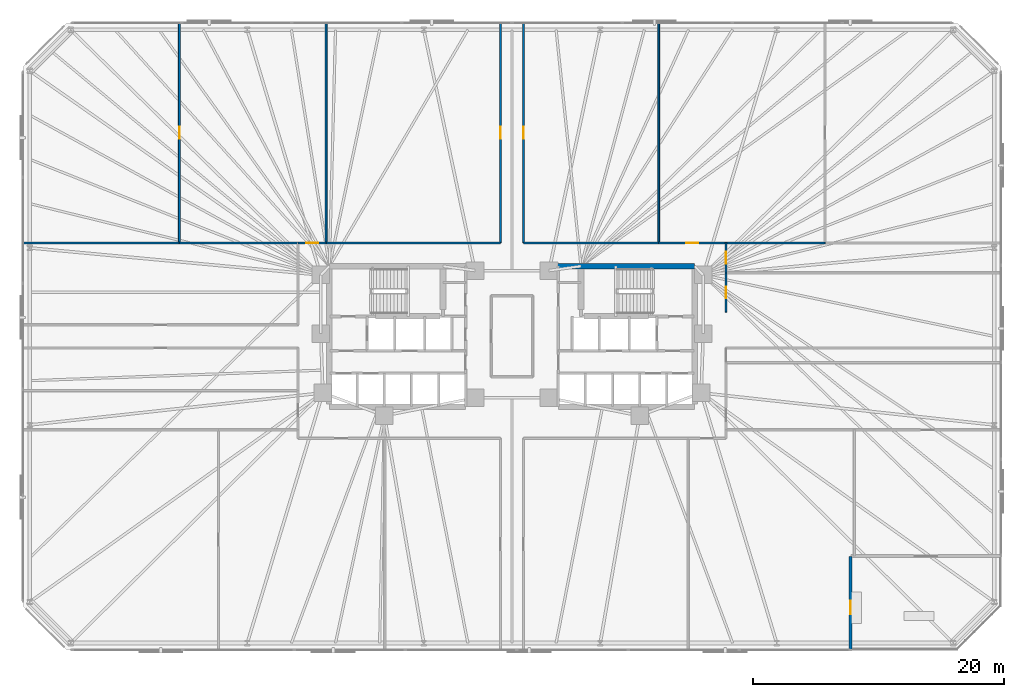
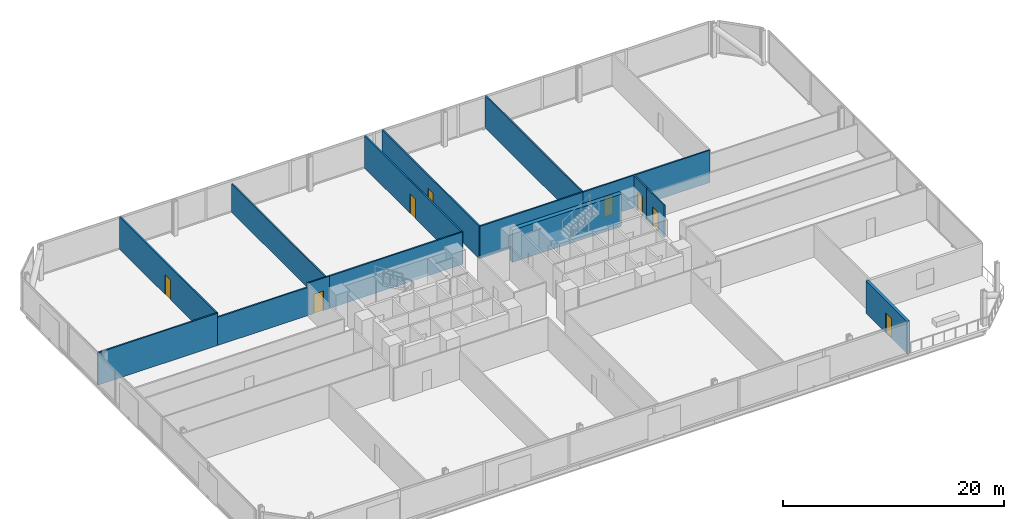
# One storey, part 14 of 17: 16 walls, 8 doors, 8 openings.
"""IFC4 building model written with IfcOpenShell, lengths in metres."""

import ifcopenshell
import ifcopenshell.guid

model = None  # the IFC model being written
_history = None  # IfcOwnerHistory: only IFC2X3 demands one
_inside = {}  # id of a spatial element -> (the spatial element, [elements in it])
_under = {}  # id of a project, library or spatial element -> (it, [spatial elements below it])
_declared = {}  # id of a project -> (the project, [libraries it declares])
_typed = {}  # id of a type object -> (the type object, [elements of that type])
_made_of = {}  # id of a material, layer set ... -> (it, [elements and type objects made of it])


def new_model(schema):
    """Start an empty IFC model of exactly this schema.

    Asked for "IFC4X3", IfcOpenShell would pick the latest addendum, in which some entities
    have other attributes; the version numbers below select the first issue.
    IFC2X3 requires an IfcOwnerHistory on every rooted entity: one is made here for all.
    """
    global model, _history
    if schema == "IFC4X3":
        model = ifcopenshell.file(schema_version=(4, 3, 0, 0))
    else:
        model = ifcopenshell.file(schema=schema)
    _inside.clear()
    _under.clear()
    _declared.clear()
    _typed.clear()
    _made_of.clear()
    _history = None
    if model.schema == "IFC2X3":
        org = make("IfcOrganization", Name="unknown")
        user = make(
            "IfcPersonAndOrganization",
            ThePerson=make("IfcPerson", FamilyName="unknown"),
            TheOrganization=org,
        )
        app = make(
            "IfcApplication",
            ApplicationDeveloper=org,
            Version="unknown",
            ApplicationFullName="unknown",
            ApplicationIdentifier="unknown",
        )
        _history = make(
            "IfcOwnerHistory",
            OwningUser=user,
            OwningApplication=app,
            ChangeAction="ADDED",
            CreationDate=0,
        )
    return model


def make(cls, **values):
    """One entity of the class cls with the attributes given. An attribute that is None is left unset."""
    return model.create_entity(
        cls, **{name: value for name, value in values.items() if value is not None}
    )


def rooted(cls, **values):
    """An entity with a GlobalId (a new one), such as an element, a storey or a relation."""
    return make(cls, GlobalId=ifcopenshell.guid.new(), OwnerHistory=_history, **values)


def si_unit(unit_type, name, prefix=None):
    """IfcSIUnit, for example si_unit("LENGTHUNIT", "METRE", prefix="MILLI")."""
    return make("IfcSIUnit", UnitType=unit_type, Prefix=prefix, Name=name)


def assignment(units):
    """IfcUnitAssignment: the units of a project."""
    return None if units is None else make("IfcUnitAssignment", Units=units)


def point(xyz):
    """IfcCartesianPoint."""
    return None if xyz is None else make("IfcCartesianPoint", Coordinates=xyz)


def direction(xyz):
    """IfcDirection."""
    return None if xyz is None else make("IfcDirection", DirectionRatios=xyz)


def frame(location, z_axis=None, x_axis=None):
    """IfcAxis2Placement3D, a coordinate frame: its origin and axes. An axis left out is left unset."""
    return make(
        "IfcAxis2Placement3D",
        Location=point(location),
        Axis=direction(z_axis),
        RefDirection=direction(x_axis),
    )


def frame_2d(location, x_axis=None):
    """IfcAxis2Placement2D, a coordinate frame in the plane: its origin and x axis."""
    return make(
        "IfcAxis2Placement2D", Location=point(location), RefDirection=direction(x_axis)
    )


def origin():
    """The frame at (0, 0, 0) with its axes left unset."""
    return frame((0.0, 0.0, 0.0))


def place(relative_to, where):
    """IfcLocalPlacement: puts the frame where relative to a parent placement (None: the world)."""
    return make(
        "IfcLocalPlacement", PlacementRelTo=relative_to, RelativePlacement=where
    )


def context(
    kind, dimensions, precision=None, world=None, true_north=None, identifier=None
):
    """IfcGeometricRepresentationContext, for example the 3D "Model" context."""
    return make(
        "IfcGeometricRepresentationContext",
        ContextIdentifier=identifier,
        ContextType=kind,
        CoordinateSpaceDimension=dimensions,
        Precision=precision,
        WorldCoordinateSystem=world,
        TrueNorth=true_north,
    )


def subcontext(parent, identifier, kind, view, scale=None):
    """IfcGeometricRepresentationSubContext, for example "Body" below "Model"."""
    return make(
        "IfcGeometricRepresentationSubContext",
        ContextIdentifier=identifier,
        ContextType=kind,
        ParentContext=parent,
        TargetScale=scale,
        TargetView=view,
    )


def project(units=None, contexts=None):
    """IfcProject with its units and contexts."""
    return rooted(
        "IfcProject",
        Name="project",
        RepresentationContexts=contexts,
        UnitsInContext=assignment(units),
    )


def spatial(cls, under=None, at=None, **own):
    """A site, building, storey or space (cls), placed at a placement, below another one or the project."""
    s = rooted(cls, ObjectPlacement=at, **own)
    if under is not None:
        _under.setdefault(under.id(), (under, []))[1].append(s)
    return s


def profile(cls, at=None, kind="AREA", **sizes):
    """A parametric profile (cls). Its sizes go by their IFC names, for example OverallWidth=200.0."""
    return make(cls, ProfileType=kind, Position=at, **sizes)


def rectangle(**sizes):
    """IfcRectangleProfileDef."""
    return profile("IfcRectangleProfileDef", **sizes)


def extrude(swept, where, along, depth):
    """IfcExtrudedAreaSolid: the profile swept, set in the frame where, extruded along a direction by depth."""
    return make(
        "IfcExtrudedAreaSolid",
        SweptArea=swept,
        Position=where,
        ExtrudedDirection=direction(along),
        Depth=depth,
    )


def shape(context_of_items, identifier, shape_type, items):
    """IfcShapeRepresentation: the items that make up one representation, for example the "Body"."""
    return make(
        "IfcShapeRepresentation",
        ContextOfItems=context_of_items,
        RepresentationIdentifier=identifier,
        RepresentationType=shape_type,
        Items=items,
    )


def material(Name=None, Category=None):
    """IfcMaterial."""
    return make("IfcMaterial", Name=Name, Category=Category)


def layer(
    of_material, thickness, ventilated=None, Name=None, Category=None, Priority=None
):
    """IfcMaterialLayer: one layer of a wall or slab, of a material (None: an air gap)."""
    return make(
        "IfcMaterialLayer",
        Material=of_material,
        LayerThickness=thickness,
        IsVentilated=ventilated,
        Name=Name,
        Category=Category,
        Priority=Priority,
    )


def layer_set(layers, Name=None):
    """IfcMaterialLayerSet."""
    return make("IfcMaterialLayerSet", MaterialLayers=layers, LayerSetName=Name)


def made_of(thing, what):
    """Note that an element or type object is made of a material, layer set ...; save() writes the relation."""
    if what is not None:
        _made_of.setdefault(what.id(), (what, []))[1].append(thing)
    return thing


def type_object(cls, material=None, **own):
    """A type object (cls), such as IfcWallType, which elements share."""
    return made_of(rooted(cls, **own), material)


def element(
    cls,
    number,
    at=None,
    inside=None,
    cuts=None,
    type_object=None,
    material=None,
    context=None,
    identifier="Body",
    shape_type=None,
    held_by="IfcProductDefinitionShape",
    body=None,
    shapes=None,
    **own,
):
    """One element of the class cls, such as IfcWall. Its Tag is "e" and its number.

    at: its placement. inside: the storey or other place that contains it. cuts: it is an
    opening in that element (IfcRelVoidsElement). A single representation is given by context,
    identifier, shape_type and body (its items); several are given by shapes. held_by: the class
    of the entity that holds the representations. save() writes the other relations.
    """
    e = rooted(cls, Tag="e%d" % number, ObjectPlacement=at, **own)
    if body is not None:
        shapes = [shape(context, identifier, shape_type, body)]
    if shapes is not None:
        e.Representation = make(held_by, Representations=shapes)
    if inside is not None:
        _inside.setdefault(inside.id(), (inside, []))[1].append(e)
    if cuts is not None:
        rooted(
            "IfcRelVoidsElement", RelatingBuildingElement=cuts, RelatedOpeningElement=e
        )
    if type_object is not None:
        _typed.setdefault(type_object.id(), (type_object, []))[1].append(e)
    return made_of(e, material)


def fill(opening, filler):
    """IfcRelFillsElement: the door or window that sits in an opening."""
    return rooted(
        "IfcRelFillsElement",
        RelatingOpeningElement=opening,
        RelatedBuildingElement=filler,
    )


def aggregate(whole, parts):
    """IfcRelAggregates: a whole, such as a stair, and the parts it consists of."""
    return rooted("IfcRelAggregates", RelatingObject=whole, RelatedObjects=parts)


def save(model, path):
    """Write the relations noted so far, then the file.

    IfcRelAggregates (storeys below a building ...), IfcRelContainedInSpatialStructure (elements
    in a storey), IfcRelDefinesByType, IfcRelAssociatesMaterial and IfcRelDeclares: one each for
    every whole, place, type object, material and project.
    """
    for whole, parts in _under.values():
        aggregate(whole, parts)
    for where, things in _inside.values():
        rooted(
            "IfcRelContainedInSpatialStructure",
            RelatedElements=things,
            RelatingStructure=where,
        )
    for kind, things in _typed.values():
        rooted("IfcRelDefinesByType", RelatedObjects=things, RelatingType=kind)
    for what, things in _made_of.values():
        rooted("IfcRelAssociatesMaterial", RelatedObjects=things, RelatingMaterial=what)
    for by, libraries in _declared.values():
        rooted("IfcRelDeclares", RelatingContext=by, RelatedDefinitions=libraries)
    model.write(path)


model = new_model("IFC4")

# Units and contexts
model_context = context("Model", 3, precision=1e-05, world=origin(), true_north=direction((0.0, 1.0)))
body_context = subcontext(model_context, "Body", "Model", "MODEL_VIEW")
ifc_project = project(units=[si_unit("LENGTHUNIT", "METRE"), si_unit("AREAUNIT", "SQUARE_METRE"), si_unit("VOLUMEUNIT", "CUBIC_METRE"), si_unit("PLANEANGLEUNIT", "RADIAN"), si_unit("MASSUNIT", "GRAM", prefix="KILO")], contexts=[model_context])

# Site, building, storey
site_placement = place(None, origin())
site = spatial("IfcSite", under=ifc_project, at=site_placement, CompositionType="ELEMENT")
building_placement = place(site_placement, origin())
building = spatial("IfcBuilding", under=site, at=building_placement, Name="Menara Jurai Vektor", CompositionType="ELEMENT")
storey_placement = place(building_placement, frame((0.0, 0.0, 44.60009765625)))
storey = spatial("IfcBuildingStorey", under=building, at=storey_placement, Name="L10", CompositionType="ELEMENT", Elevation=44.60009765625)

# Wall, opening, door
ifc_material_1 = material(Name="Insulated Pale Aluminium Terrace Wall", Category="aluminium")
ifc_layer_1 = layer(ifc_material_1, 0.260009765625)
ifc_layer_set_1 = layer_set([ifc_layer_1], Name="Insulated Pale Aluminium Terrace Wall")
wall_type_1 = type_object("IfcWallType", Name="ENV-WALL-EXT260", PredefinedType="STANDARD", material=ifc_layer_set_1)
wall_1_placement = place(storey_placement, frame((27.0, -24.969970703125, 0.0), z_axis=(0.0, 0.0, 1.0), x_axis=(0.0, 1.0, 0.0)))
wall_1 = element("IfcWall", 1, at=wall_1_placement, inside=storey, type_object=wall_type_1, Name="Recessed Sky Terrace Wall L10-01", PredefinedType="STANDARD", context=body_context, shape_type="SweptSolid", body=[
    extrude(rectangle(XDim=7.43994140625, YDim=0.260009765625, at=frame_2d((3.719970703125, 0.0))), origin(), (0.0, 0.0, 1.0), 3.574951171875),
])
opening_1_placement = place(wall_1_placement, frame((2.798095703125, 0.0, 0.0)))
opening_1 = element("IfcOpeningElement", 2, at=opening_1_placement, cuts=wall_1, Name="Opening TD-L10", PredefinedType="OPENING", context=body_context, shape_type="SweptSolid", body=[
    extrude(rectangle(XDim=1.10009765625, YDim=2.199951171875, at=frame_2d((0.550048828125, 1.10009765625))), frame((0.0, 0.14013671875, 0.0), z_axis=(0.0, -1.0, 0.0), x_axis=(1.0, 0.0, 0.0)), (0.0, 0.0, 1.0), 0.280029296875),
])
ifc_material_2 = material(Name="Anodised Aluminium Glazed Terrace Door", Category="aluminium")
door_type_1 = type_object("IfcDoorType", Name="ENV-DOOR-TER110", OperationType="NOTDEFINED", PredefinedType="DOOR", material=ifc_material_2)
door_1_placement = place(opening_1_placement, frame((1.10009765625, 0.0, 0.0), z_axis=(0.0, 0.0, 1.0), x_axis=(-1.0, 0.0, 0.0)))
door_1 = element("IfcDoor", 3, at=door_1_placement, inside=storey, type_object=door_type_1, Name="Spiral Corner Terrace Access Door L10", OperationType="SINGLE_SWING_RIGHT", OverallHeight=2.199951171875, OverallWidth=1.10009765625, PredefinedType="DOOR", context=body_context, shape_type="SweptSolid", body=[
    extrude(rectangle(XDim=1.10009765625, YDim=2.199951171875, at=frame_2d((0.550048828125, 1.10009765625))), frame((0.0, 0.02490234375, 0.0), z_axis=(0.0, -1.0, 0.0), x_axis=(1.0, 0.0, 0.0)), (0.0, 0.0, 1.0), 0.050048828125),
])
fill(opening_1, door_1)

ifc_material_3 = material(Name="Gypsum Fireboard Partition", Category="gypsum")
ifc_layer_2 = layer(ifc_material_3, 0.14990234375)
ifc_layer_set_2 = layer_set([ifc_layer_2], Name="Gypsum Fireboard Partition")
wall_type_2 = type_object("IfcWallType", Name="INT-WALL-CORR-150", PredefinedType="PARTITIONING", material=ifc_layer_set_2)
wall_2_placement = place(storey_placement, frame((-17.05908203125, 7.449951171875, 0.0), z_axis=(0.0, 0.0, 1.0), x_axis=(1.0, 0.0, 0.0)))
wall_2 = element("IfcWall", 4, at=wall_2_placement, inside=storey, type_object=wall_type_2, Name="Interior Wall IW-150 L10", PredefinedType="PARTITIONING", context=body_context, shape_type="SweptSolid", body=[
    extrude(rectangle(XDim=2.239013671875, YDim=0.14990234375, at=frame_2d((1.11962890625, 0.0))), origin(), (0.0, 0.0, 1.0), 3.574951171875),
])
opening_2_placement = place(wall_2_placement, frame((0.64453125, 0.0, 0.0)))
opening_2 = element("IfcOpeningElement", 5, at=opening_2_placement, cuts=wall_2, Name="Opening D10-05", PredefinedType="OPENING", context=body_context, shape_type="SweptSolid", body=[
    extrude(rectangle(XDim=0.949951171875, YDim=2.14990234375, at=frame_2d((0.47509765625, 1.074951171875))), frame((0.0, 0.0849609375, 0.0), z_axis=(0.0, -1.0, 0.0), x_axis=(1.0, 0.0, 0.0)), (0.0, 0.0, 1.0), 0.169921875),
])
ifc_material_4 = material(Name="Solid Core Timber Fire Door", Category="wood")
door_type_2 = type_object("IfcDoorType", Name="DR-ENTRY-950", OperationType="NOTDEFINED", PredefinedType="DOOR", material=ifc_material_4)
door_2_placement = place(opening_2_placement, origin())
door_2 = element("IfcDoor", 6, at=door_2_placement, inside=storey, type_object=door_type_2, Name="Interior Door D10-05", OperationType="SINGLE_SWING_RIGHT", OverallHeight=2.14990234375, OverallWidth=0.949951171875, PredefinedType="DOOR", context=body_context, shape_type="SweptSolid", body=[
    extrude(rectangle(XDim=0.949951171875, YDim=2.14990234375, at=frame_2d((0.47509765625, 1.074951171875))), frame((0.0, 0.02490234375, 0.0), z_axis=(0.0, -1.0, 0.0), x_axis=(1.0, 0.0, 0.0)), (0.0, 0.0, 1.0), 0.050048828125),
])
fill(opening_2, door_2)

# Wall
wall_3_placement = place(storey_placement, frame((-14.820068359375, 7.449951171875, 0.0), z_axis=(0.0, 0.0, 1.0), x_axis=(1.0, 0.0, 0.0)))
element("IfcWall", 7, at=wall_3_placement, inside=storey, type_object=wall_type_2, Name="Interior Wall IW-150 L10", PredefinedType="PARTITIONING", context=body_context, shape_type="SweptSolid", body=[
    extrude(rectangle(XDim=13.900146484375, YDim=0.14990234375, at=frame_2d((6.9501953125, 0.0))), origin(), (0.0, 0.0, 1.0), 3.574951171875),
])

# Wall, opening, door
wall_4_placement = place(storey_placement, frame((-0.919921875, 7.449951171875, 0.0), z_axis=(0.0, 0.0, 1.0), x_axis=(0.0, 1.0, 0.0)))
wall_4 = element("IfcWall", 8, at=wall_4_placement, inside=storey, type_object=wall_type_2, Name="Interior Wall IW-150 L10", PredefinedType="PARTITIONING", context=body_context, shape_type="SweptSolid", body=[
    extrude(rectangle(XDim=17.550048828125, YDim=0.14990234375, at=frame_2d((8.77490234375, 0.0))), origin(), (0.0, 0.0, 1.0), 3.574951171875),
])
opening_3_placement = place(wall_4_placement, frame((8.300048828125, 0.0, 0.0)))
opening_3 = element("IfcOpeningElement", 9, at=opening_3_placement, cuts=wall_4, Name="Opening D10-06", PredefinedType="OPENING", context=body_context, shape_type="SweptSolid", body=[
    extrude(rectangle(XDim=0.949951171875, YDim=2.14990234375, at=frame_2d((0.47509765625, 1.074951171875))), frame((0.0, 0.0849609375, 0.0), z_axis=(0.0, -1.0, 0.0), x_axis=(1.0, 0.0, 0.0)), (0.0, 0.0, 1.0), 0.169921875),
])
door_3_placement = place(opening_3_placement, origin())
door_3 = element("IfcDoor", 10, at=door_3_placement, inside=storey, type_object=door_type_2, Name="Interior Door D10-06", OperationType="SINGLE_SWING_LEFT", OverallHeight=2.14990234375, OverallWidth=0.949951171875, PredefinedType="DOOR", context=body_context, shape_type="SweptSolid", body=[
    extrude(rectangle(XDim=0.949951171875, YDim=2.14990234375, at=frame_2d((0.47509765625, 1.074951171875))), frame((0.0, 0.02490234375, 0.0), z_axis=(0.0, -1.0, 0.0), x_axis=(1.0, 0.0, 0.0)), (0.0, 0.0, 1.0), 0.050048828125),
])
fill(opening_3, door_3)

wall_5_placement = place(storey_placement, frame((0.919921875, 7.449951171875, 0.0), z_axis=(0.0, 0.0, 1.0), x_axis=(0.0, 1.0, 0.0)))
wall_5 = element("IfcWall", 11, at=wall_5_placement, inside=storey, type_object=wall_type_2, Name="Interior Wall IW-150 L10", PredefinedType="PARTITIONING", context=body_context, shape_type="SweptSolid", body=[
    extrude(rectangle(XDim=17.550048828125, YDim=0.14990234375, at=frame_2d((8.77490234375, 0.0))), origin(), (0.0, 0.0, 1.0), 3.574951171875),
])
opening_4_placement = place(wall_5_placement, frame((8.300048828125, 0.0, 0.0)))
opening_4 = element("IfcOpeningElement", 12, at=opening_4_placement, cuts=wall_5, Name="Opening D10-07", PredefinedType="OPENING", context=body_context, shape_type="SweptSolid", body=[
    extrude(rectangle(XDim=0.949951171875, YDim=2.14990234375, at=frame_2d((0.47509765625, 1.074951171875))), frame((0.0, 0.0849609375, 0.0), z_axis=(0.0, -1.0, 0.0), x_axis=(1.0, 0.0, 0.0)), (0.0, 0.0, 1.0), 0.169921875),
])
door_4_placement = place(opening_4_placement, origin())
door_4 = element("IfcDoor", 13, at=door_4_placement, inside=storey, type_object=door_type_2, Name="Interior Door D10-07", OperationType="SINGLE_SWING_RIGHT", OverallHeight=2.14990234375, OverallWidth=0.949951171875, PredefinedType="DOOR", context=body_context, shape_type="SweptSolid", body=[
    extrude(rectangle(XDim=0.949951171875, YDim=2.14990234375, at=frame_2d((0.47509765625, 1.074951171875))), frame((0.0, 0.02490234375, 0.0), z_axis=(0.0, -1.0, 0.0), x_axis=(1.0, 0.0, 0.0)), (0.0, 0.0, 1.0), 0.050048828125),
])
fill(opening_4, door_4)

# Wall
wall_6_placement = place(storey_placement, frame((0.919921875, 7.449951171875, 0.0), z_axis=(0.0, 0.0, 1.0), x_axis=(1.0, 0.0, 0.0)))
element("IfcWall", 14, at=wall_6_placement, inside=storey, type_object=wall_type_2, Name="Interior Wall IW-150 L10", PredefinedType="PARTITIONING", context=body_context, shape_type="SweptSolid", body=[
    extrude(rectangle(XDim=10.780029296875, YDim=0.14990234375, at=frame_2d((5.39013671875, 0.0))), origin(), (0.0, 0.0, 1.0), 3.574951171875),
])

# Wall, opening, door
wall_7_placement = place(storey_placement, frame((11.699951171875, 7.449951171875, 0.0), z_axis=(0.0, 0.0, 1.0), x_axis=(1.0, 0.0, 0.0)))
wall_7 = element("IfcWall", 15, at=wall_7_placement, inside=storey, type_object=wall_type_2, Name="Interior Wall IW-150 L10", PredefinedType="PARTITIONING", context=body_context, shape_type="SweptSolid", body=[
    extrude(rectangle(XDim=5.359130859375, YDim=0.14990234375, at=frame_2d((2.6796875, 0.0))), origin(), (0.0, 0.0, 1.0), 3.574951171875),
])
opening_5_placement = place(wall_7_placement, frame((2.20458984375, 0.0, 0.0)))
opening_5 = element("IfcOpeningElement", 16, at=opening_5_placement, cuts=wall_7, Name="Opening D10-08", PredefinedType="OPENING", context=body_context, shape_type="SweptSolid", body=[
    extrude(rectangle(XDim=0.949951171875, YDim=2.14990234375, at=frame_2d((0.47509765625, 1.074951171875))), frame((0.0, 0.0849609375, 0.0), z_axis=(0.0, -1.0, 0.0), x_axis=(1.0, 0.0, 0.0)), (0.0, 0.0, 1.0), 0.169921875),
])
door_5_placement = place(opening_5_placement, origin())
door_5 = element("IfcDoor", 17, at=door_5_placement, inside=storey, type_object=door_type_2, Name="Interior Door D10-08", OperationType="SINGLE_SWING_LEFT", OverallHeight=2.14990234375, OverallWidth=0.949951171875, PredefinedType="DOOR", context=body_context, shape_type="SweptSolid", body=[
    extrude(rectangle(XDim=0.949951171875, YDim=2.14990234375, at=frame_2d((0.47509765625, 1.074951171875))), frame((0.0, 0.02490234375, 0.0), z_axis=(0.0, -1.0, 0.0), x_axis=(1.0, 0.0, 0.0)), (0.0, 0.0, 1.0), 0.050048828125),
])
fill(opening_5, door_5)

wall_8_placement = place(storey_placement, frame((17.05908203125, 1.93701171875, 0.0), z_axis=(0.0, 0.0, 1.0), x_axis=(0.0, 1.0, 0.0)))
wall_8 = element("IfcWall", 18, at=wall_8_placement, inside=storey, type_object=wall_type_2, Name="Interior Wall IW-150 L10", PredefinedType="PARTITIONING", context=body_context, shape_type="SweptSolid", body=[
    extrude(rectangle(XDim=3.12890625, YDim=0.14990234375, at=frame_2d((1.564453125, 0.0))), origin(), (0.0, 0.0, 1.0), 3.574951171875),
])
opening_6_placement = place(wall_8_placement, frame((1.089599609375, 0.0, 0.0)))
opening_6 = element("IfcOpeningElement", 19, at=opening_6_placement, cuts=wall_8, Name="Opening D10-18", PredefinedType="OPENING", context=body_context, shape_type="SweptSolid", body=[
    extrude(rectangle(XDim=0.949951171875, YDim=2.14990234375, at=frame_2d((0.47509765625, 1.074951171875))), frame((0.0, 0.0849609375, 0.0), z_axis=(0.0, -1.0, 0.0), x_axis=(1.0, 0.0, 0.0)), (0.0, 0.0, 1.0), 0.169921875),
])
door_6_placement = place(opening_6_placement, origin())
door_6 = element("IfcDoor", 20, at=door_6_placement, inside=storey, type_object=door_type_2, Name="Interior Door D10-18", OperationType="SINGLE_SWING_LEFT", OverallHeight=2.14990234375, OverallWidth=0.949951171875, PredefinedType="DOOR", context=body_context, shape_type="SweptSolid", body=[
    extrude(rectangle(XDim=0.949951171875, YDim=2.14990234375, at=frame_2d((0.47509765625, 1.074951171875))), frame((0.0, 0.02490234375, 0.0), z_axis=(0.0, -1.0, 0.0), x_axis=(1.0, 0.0, 0.0)), (0.0, 0.0, 1.0), 0.050048828125),
])
fill(opening_6, door_6)

wall_9_placement = place(storey_placement, frame((17.05908203125, 5.06591796875, 0.0), z_axis=(0.0, 0.0, 1.0), x_axis=(0.0, 1.0, 0.0)))
wall_9 = element("IfcWall", 21, at=wall_9_placement, inside=storey, type_object=wall_type_2, Name="Interior Wall IW-150 L10", PredefinedType="PARTITIONING", context=body_context, shape_type="SweptSolid", body=[
    extrude(rectangle(XDim=2.384033203125, YDim=0.14990234375, at=frame_2d((1.19189453125, 0.0))), origin(), (0.0, 0.0, 1.0), 3.574951171875),
])
opening_7_placement = place(wall_9_placement, frame((0.717041015625, 0.0, 0.0)))
opening_7 = element("IfcOpeningElement", 22, at=opening_7_placement, cuts=wall_9, Name="Opening D10-19", PredefinedType="OPENING", context=body_context, shape_type="SweptSolid", body=[
    extrude(rectangle(XDim=0.949951171875, YDim=2.14990234375, at=frame_2d((0.47509765625, 1.074951171875))), frame((0.0, 0.0849609375, 0.0), z_axis=(0.0, -1.0, 0.0), x_axis=(1.0, 0.0, 0.0)), (0.0, 0.0, 1.0), 0.169921875),
])
door_7_placement = place(opening_7_placement, origin())
door_7 = element("IfcDoor", 23, at=door_7_placement, inside=storey, type_object=door_type_2, Name="Interior Door D10-19", OperationType="SINGLE_SWING_RIGHT", OverallHeight=2.14990234375, OverallWidth=0.949951171875, PredefinedType="DOOR", context=body_context, shape_type="SweptSolid", body=[
    extrude(rectangle(XDim=0.949951171875, YDim=2.14990234375, at=frame_2d((0.47509765625, 1.074951171875))), frame((0.0, 0.02490234375, 0.0), z_axis=(0.0, -1.0, 0.0), x_axis=(1.0, 0.0, 0.0)), (0.0, 0.0, 1.0), 0.050048828125),
])
fill(opening_7, door_7)

wall_10_placement = place(storey_placement, frame((-26.52001953125, 7.449951171875, 0.0), z_axis=(0.0, 0.0, 1.0), x_axis=(0.0, 1.0, 0.0)))
wall_10 = element("IfcWall", 24, at=wall_10_placement, inside=storey, type_object=wall_type_2, Name="Interior Wall IW-150 L10", PredefinedType="PARTITIONING", context=body_context, shape_type="SweptSolid", body=[
    extrude(rectangle(XDim=17.550048828125, YDim=0.14990234375, at=frame_2d((8.77490234375, 0.0))), origin(), (0.0, 0.0, 1.0), 3.574951171875),
])
opening_8_placement = place(wall_10_placement, frame((8.300048828125, 0.0, 0.0)))
opening_8 = element("IfcOpeningElement", 25, at=opening_8_placement, cuts=wall_10, Name="Opening D10-20", PredefinedType="OPENING", context=body_context, shape_type="SweptSolid", body=[
    extrude(rectangle(XDim=0.949951171875, YDim=2.14990234375, at=frame_2d((0.47509765625, 1.074951171875))), frame((0.0, 0.0849609375, 0.0), z_axis=(0.0, -1.0, 0.0), x_axis=(1.0, 0.0, 0.0)), (0.0, 0.0, 1.0), 0.169921875),
])
door_8_placement = place(opening_8_placement, origin())
door_8 = element("IfcDoor", 26, at=door_8_placement, inside=storey, type_object=door_type_2, Name="Interior Door D10-20", OperationType="SINGLE_SWING_LEFT", OverallHeight=2.14990234375, OverallWidth=0.949951171875, PredefinedType="DOOR", context=body_context, shape_type="SweptSolid", body=[
    extrude(rectangle(XDim=0.949951171875, YDim=2.14990234375, at=frame_2d((0.47509765625, 1.074951171875))), frame((0.0, 0.02490234375, 0.0), z_axis=(0.0, -1.0, 0.0), x_axis=(1.0, 0.0, 0.0)), (0.0, 0.0, 1.0), 0.050048828125),
])
fill(opening_8, door_8)

# Walls
wall_11_placement = place(storey_placement, frame((-39.0, 7.449951171875, 0.0), z_axis=(0.0, 0.0, 1.0), x_axis=(1.0, 0.0, 0.0)))
element("IfcWall", 27, at=wall_11_placement, inside=storey, type_object=wall_type_2, Name="Interior Wall IW-150 L10", PredefinedType="PARTITIONING", context=body_context, shape_type="SweptSolid", body=[
    extrude(rectangle(XDim=12.47998046875, YDim=0.14990234375, at=frame_2d((6.239990234375, 0.0))), origin(), (0.0, 0.0, 1.0), 3.574951171875),
])
wall_12_placement = place(storey_placement, frame((11.699951171875, 7.449951171875, 0.0), z_axis=(0.0, 0.0, 1.0), x_axis=(0.0, 1.0, 0.0)))
element("IfcWall", 28, at=wall_12_placement, inside=storey, type_object=wall_type_2, Name="Interior Wall IW-150 L10", PredefinedType="PARTITIONING", context=body_context, shape_type="SweptSolid", body=[
    extrude(rectangle(XDim=17.550048828125, YDim=0.14990234375, at=frame_2d((8.77490234375, 0.0))), origin(), (0.0, 0.0, 1.0), 3.574951171875),
])
wall_13_placement = place(storey_placement, frame((17.05908203125, 7.449951171875, 0.0), z_axis=(0.0, 0.0, 1.0), x_axis=(1.0, 0.0, 0.0)))
element("IfcWall", 29, at=wall_13_placement, inside=storey, type_object=wall_type_2, Name="Interior Wall IW-150 L10", PredefinedType="PARTITIONING", context=body_context, shape_type="SweptSolid", body=[
    extrude(rectangle(XDim=7.90087890625, YDim=0.14990234375, at=frame_2d((3.950439453125, 0.0))), origin(), (0.0, 0.0, 1.0), 3.574951171875),
])
ifc_layer_3 = layer(ifc_material_3, 0.14990234375)
ifc_layer_set_3 = layer_set([ifc_layer_3], Name="Gypsum Fireboard Partition")
wall_type_3 = type_object("IfcWallType", Name="INT-WALL-CORR-150-H1", PredefinedType="PARTITIONING", material=ifc_layer_set_3)
wall_14_placement = place(storey_placement, frame((-14.820068359375, 7.449951171875, 0.0), z_axis=(0.0, 0.0, 1.0), x_axis=(0.0, 1.0, 0.0)))
element("IfcWall", 30, at=wall_14_placement, inside=storey, type_object=wall_type_3, Name="Interior Wall IW-150 L10", PredefinedType="PARTITIONING", context=body_context, shape_type="SweptSolid", body=[
    extrude(rectangle(XDim=17.550048828125, YDim=0.14990234375, at=frame_2d((8.77490234375, 0.0))), origin(), (0.0, 0.0, 1.0), 3.125),
])
wall_15_placement = place(storey_placement, frame((-26.52001953125, 7.449951171875, 0.0), z_axis=(0.0, 0.0, 1.0), x_axis=(1.0, 0.0, 0.0)))
element("IfcWall", 31, at=wall_15_placement, inside=storey, type_object=wall_type_3, Name="Interior Wall IW-150 L10", PredefinedType="PARTITIONING", context=body_context, shape_type="SweptSolid", body=[
    extrude(rectangle(XDim=9.4609375, YDim=0.14990234375, at=frame_2d((4.73046875, 0.0))), origin(), (0.0, 0.0, 1.0), 3.125),
])
ifc_material_5 = material(Name="Concrete C60/75", Category="concrete")
ifc_layer_4 = layer(ifc_material_5, 0.449951171875)
ifc_layer_set_4 = layer_set([ifc_layer_4], Name="Concrete C60/75")
wall_type_4 = type_object("IfcWallType", Name="STR-WALL-CORE450", PredefinedType="SHEAR", material=ifc_layer_set_4)
wall_16_placement = place(storey_placement, frame((3.14990234375, 5.60009765625, 0.0), z_axis=(0.0, 0.0, 1.0), x_axis=(1.0, 0.0, 0.0)))
element("IfcWall", 32, at=wall_16_placement, inside=storey, type_object=wall_type_4, Name="Core Shear Wall CW-E-N L10", PredefinedType="SHEAR", context=body_context, shape_type="SweptSolid", body=[
    extrude(rectangle(XDim=11.41015625, YDim=0.449951171875, at=frame_2d((5.705078125, 0.0))), origin(), (0.0, 0.0, 1.0), 3.574951171875),
])

save(model, "model.ifc")
